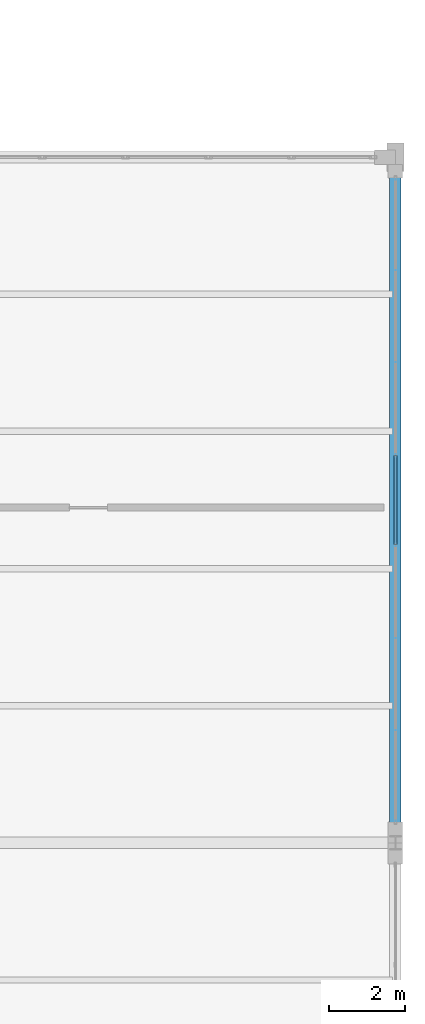
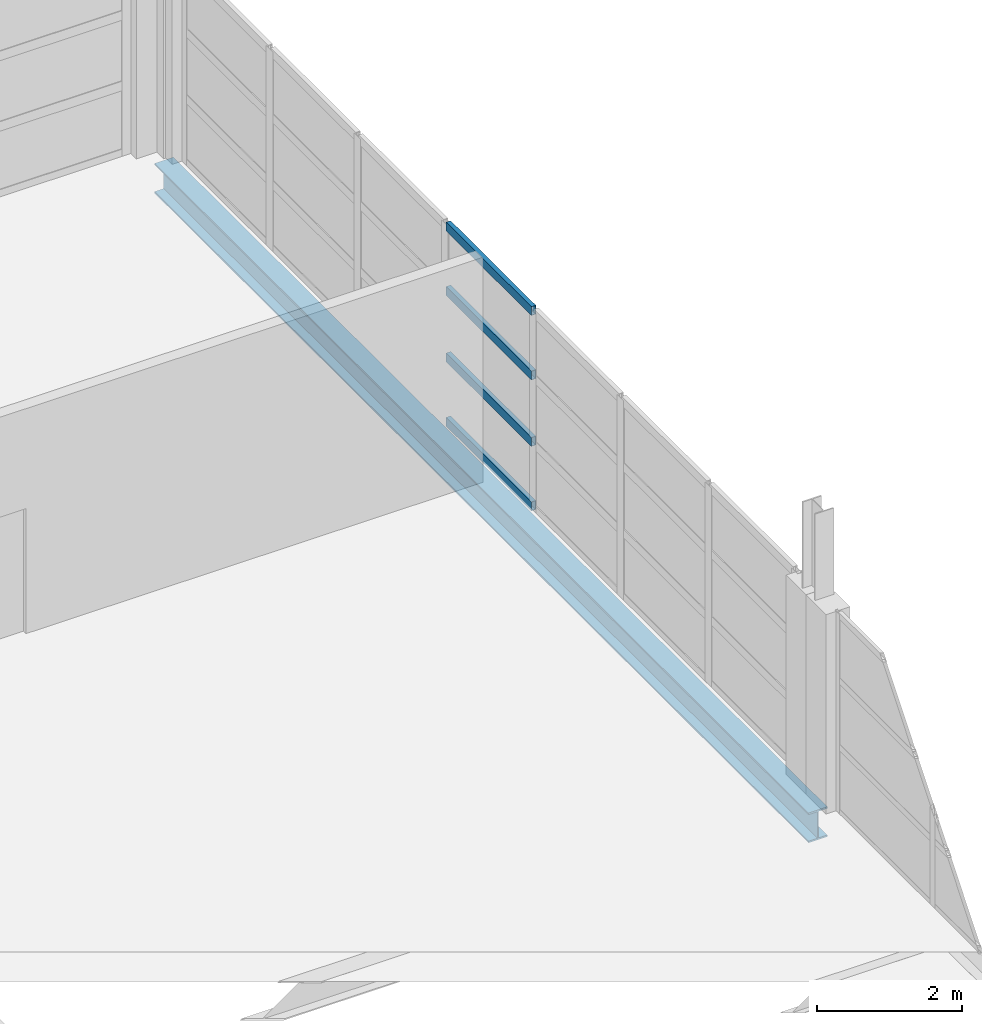
# One storey, part 68 of 86: 4 members, 1 beam, 1 element without a shape of its own.
"""IFC4 building model written with IfcOpenShell, lengths in metres."""

from ifc_helpers import new_model, si_unit, direction, frame, origin, origin_2d, place, context, subcontext, project, spatial, hollow_rectangle, i_section, extrude, material, layer, layer_set, material_profile, profile_set, type_object, element, aggregate, save


model = new_model("IFC4")

# Units and contexts
model_context = context("Model", 3, precision=1e-05, world=origin(), true_north=direction((0.0, 1.0)))
body_context = subcontext(model_context, "Body", "Model", "MODEL_VIEW")
ifc_project = project(units=[si_unit("LENGTHUNIT", "METRE"), si_unit("AREAUNIT", "SQUARE_METRE"), si_unit("VOLUMEUNIT", "CUBIC_METRE"), si_unit("PLANEANGLEUNIT", "RADIAN"), si_unit("MASSUNIT", "GRAM", prefix="KILO")], contexts=[model_context])

# Site, building, storey
site_placement = place(None, origin())
site = spatial("IfcSite", under=ifc_project, at=site_placement, CompositionType="ELEMENT")
building_placement = place(site_placement, origin())
building = spatial("IfcBuilding", under=site, at=building_placement, Name="Zilviju Railside Exhibition Hall", CompositionType="ELEMENT")
storey_placement = place(building_placement, frame((0.0, 0.0, 12.60009765625)))
storey = spatial("IfcBuildingStorey", under=building, at=storey_placement, Name="L04", CompositionType="ELEMENT", Elevation=12.60009765625)

# Beam
ifc_material_1 = material(Name="Steel S355J2", Category="steel")
ifc_material_profile_1 = material_profile(ifc_material_1, i_section(OverallWidth=0.300048828125, OverallDepth=0.5, WebThickness=0.014404296875, FlangeThickness=0.028076171875, at=origin_2d()), Name="HEB 500")
ifc_profile_set_1 = profile_set([ifc_material_profile_1], Name="Steel S355J2")
beam_type = type_object("IfcBeamType", Name="BM-HEB500", PredefinedType="BEAM", material=ifc_profile_set_1)
beam_placement = place(storey_placement, frame((216.0, 120.0, -0.580078125), z_axis=(0.0, 1.0, 0.0), x_axis=(-1.0, 0.0, 0.0)))
element("IfcBeam", 1, at=beam_placement, inside=storey, type_object=beam_type, Name="Transverse Girder L04 X=216.0 (120.0..138.0)", PredefinedType="BEAM", context=body_context, shape_type="SweptSolid", body=[
    extrude(i_section(OverallWidth=0.300048828125, OverallDepth=0.5, WebThickness=0.014404296875, FlangeThickness=0.028076171875, at=origin_2d()), origin(), (0.0, 0.0, 1.0), 18.0),
])

# Curtain wall, members
ifc_material_2 = material(Name="Thermally broken aluminium-steel triple-glazed curtain wall", Category="steel")
ifc_layer = layer(ifc_material_2, 0.179931640625)
ifc_layer_set = layer_set([ifc_layer], Name="Thermally broken aluminium-steel triple-glazed curtain wall")
curtain_wall_type = type_object("IfcCurtainWallType", Name="CW-BAY-15", PredefinedType="USERDEFINED", material=ifc_layer_set)
curtain_wall_placement = place(storey_placement, origin())
curtain_wall = element("IfcCurtainWall", 2, at=curtain_wall_placement, inside=storey, type_object=curtain_wall_type, Name="North Hall East Glazed Gable L04 (120..138)", ObjectType="GLAZED CURTAIN WALL", PredefinedType="USERDEFINED")
ifc_material_3 = material(Name="Thermally broken anodized aluminium transom", Category="aluminium")
ifc_material_profile_2 = material_profile(ifc_material_3, hollow_rectangle(XDim=0.070068359375, YDim=0.14990234375, WallThickness=0.0048828125, at=origin_2d()), Name="TRANSOM 150x70x5")
ifc_profile_set_2 = profile_set([ifc_material_profile_2], Name="Thermally broken anodized aluminium transom")
member_type = type_object("IfcMemberType", Name="CWT-70x150", PredefinedType="USERDEFINED", material=ifc_profile_set_2)
member_1_placement = place(storey_placement, frame((216.0, 130.172119140625, 0.034912109375), z_axis=(0.0, -1.0, 0.0), x_axis=(1.0, 0.0, 0.0)))
member_1 = element("IfcMember", 3, at=member_1_placement, type_object=member_type, Name="CW-15 transom 4.1", ObjectType="TRANSOM", PredefinedType="USERDEFINED", context=body_context, shape_type="SweptSolid", body=[
    extrude(hollow_rectangle(XDim=0.070068359375, YDim=0.14990234375, WallThickness=0.0048828125, at=origin_2d()), origin(), (0.0, 0.0, 1.0), 2.34423828125),
])
member_2_placement = place(storey_placement, frame((216.0, 130.172119140625, 1.116943359375), z_axis=(0.0, -1.0, 0.0), x_axis=(1.0, 0.0, 0.0)))
member_2 = element("IfcMember", 4, at=member_2_placement, type_object=member_type, Name="CW-15 transom 4.2", ObjectType="TRANSOM", PredefinedType="USERDEFINED", context=body_context, shape_type="SweptSolid", body=[
    extrude(hollow_rectangle(XDim=0.070068359375, YDim=0.14990234375, WallThickness=0.0048828125, at=origin_2d()), origin(), (0.0, 0.0, 1.0), 2.34423828125),
])
member_3_placement = place(storey_placement, frame((216.0, 130.172119140625, 2.23291015625), z_axis=(0.0, -1.0, 0.0), x_axis=(1.0, 0.0, 0.0)))
member_3 = element("IfcMember", 5, at=member_3_placement, type_object=member_type, Name="CW-15 transom 4.3", ObjectType="TRANSOM", PredefinedType="USERDEFINED", context=body_context, shape_type="SweptSolid", body=[
    extrude(hollow_rectangle(XDim=0.070068359375, YDim=0.14990234375, WallThickness=0.0048828125, at=origin_2d()), origin(), (0.0, 0.0, 1.0), 2.34423828125),
])
member_4_placement = place(storey_placement, frame((216.0, 130.172119140625, 3.31494140625), z_axis=(0.0, -1.0, 0.0), x_axis=(1.0, 0.0, 0.0)))
member_4 = element("IfcMember", 6, at=member_4_placement, type_object=member_type, Name="CW-15 transom 4.4", ObjectType="TRANSOM", PredefinedType="USERDEFINED", context=body_context, shape_type="SweptSolid", body=[
    extrude(hollow_rectangle(XDim=0.070068359375, YDim=0.14990234375, WallThickness=0.0048828125, at=origin_2d()), origin(), (0.0, 0.0, 1.0), 2.34423828125),
])
aggregate(curtain_wall, [member_1, member_2, member_3, member_4])

save(model, "model.ifc")
